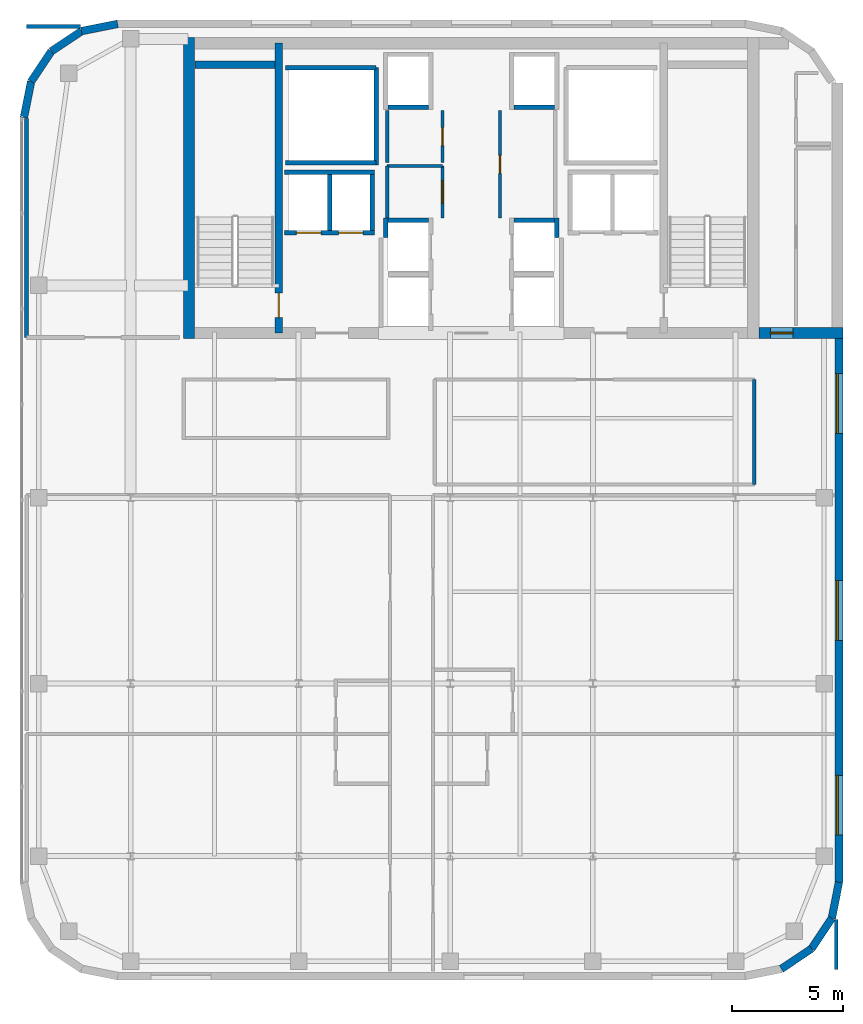
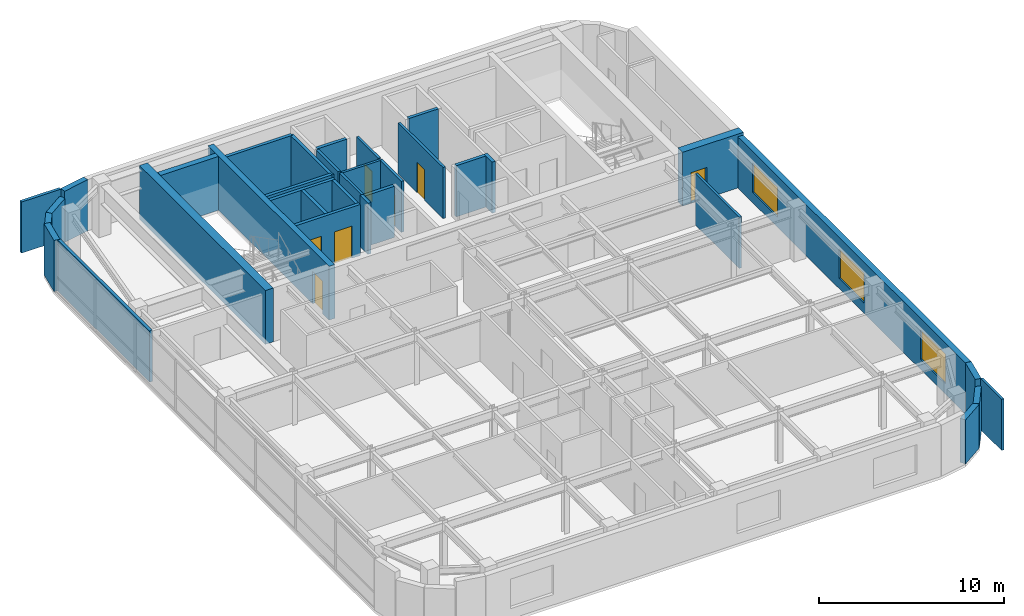
# One storey, part 16 of 19: 35 walls, 7 doors, 3 windows, 10 openings.
"""IFC4 building model written with IfcOpenShell, lengths in metres."""

from ifc_helpers import new_model, si_unit, direction, frame, frame_2d, origin, place, context, subcontext, project, spatial, rectangle, extrude, source, transform, mapped, material, layer, layer_set, type_object, type_shapes, element, fill, save


model = new_model("IFC4")

# Units and contexts
model_context = context("Model", 3, precision=1e-05, world=origin(), true_north=direction((0.0, 1.0)))
body_context = subcontext(model_context, "Body", "Model", "MODEL_VIEW")
ifc_project = project(units=[si_unit("LENGTHUNIT", "METRE"), si_unit("AREAUNIT", "SQUARE_METRE"), si_unit("VOLUMEUNIT", "CUBIC_METRE"), si_unit("PLANEANGLEUNIT", "RADIAN"), si_unit("MASSUNIT", "GRAM", prefix="KILO")], contexts=[model_context])

# Site, building, storey
site_placement = place(None, origin())
site = spatial("IfcSite", under=ifc_project, at=site_placement, CompositionType="ELEMENT")
building_placement = place(site_placement, origin())
building = spatial("IfcBuilding", under=site, at=building_placement, Name="Tolvann Quenvar Hotel", CompositionType="ELEMENT")
storey_placement = place(building_placement, frame((0.0, 0.0, 223.89990234375)))
storey = spatial("IfcBuildingStorey", under=building, at=storey_placement, Name="L59", CompositionType="ELEMENT", Elevation=223.89990234375)

# Wall
ifc_material_1 = material(Name="Concrete N50 (50 MPa)", Category="concrete")
ifc_layer_1 = layer(ifc_material_1, 0.5)
ifc_layer_set_1 = layer_set([ifc_layer_1], Name="Concrete N50 (50 MPa)")
wall_type_1 = type_object("IfcWallType", Name="WALL_CORE_500", PredefinedType="SHEAR", material=ifc_layer_set_1)
wall_1_placement = place(storey_placement, frame((10.25, 31.60009765625, 0.0), z_axis=(0.0, 0.0, 1.0), x_axis=(0.0, 1.0, 0.0)))
element("IfcWall", 1, at=wall_1_placement, inside=storey, type_object=wall_type_1, Name="Rear Core W Shear Wall (L59)", PredefinedType="SHEAR", context=body_context, shape_type="SweptSolid", body=[
    extrude(rectangle(XDim=13.599853515625, YDim=0.5, at=frame_2d((6.7998046875, 0.0))), origin(), (0.0, 0.0, 1.0), 3.550048828125),
])

# Wall, opening, door
wall_2_placement = place(storey_placement, frame((36.0, 31.85009765625, 0.0), z_axis=(0.0, 0.0, 1.0), x_axis=(1.0, 0.0, 0.0)))
wall_2 = element("IfcWall", 2, at=wall_2_placement, inside=storey, type_object=wall_type_1, Name="Core East Annex Shear Wall ANN-S (L59)", PredefinedType="SHEAR", context=body_context, shape_type="SweptSolid", body=[
    extrude(rectangle(XDim=3.800048828125, YDim=0.5, at=frame_2d((1.89990234375, 0.0))), origin(), (0.0, 0.0, 1.0), 3.550048828125),
])
opening_1_placement = place(wall_2_placement, frame((1.5400390625, 0.0, 0.0), z_axis=(0.0, 0.0, 1.0), x_axis=(-1.0, 0.0, 0.0)))
opening_1 = element("IfcOpeningElement", 3, at=opening_1_placement, cuts=wall_2, Name="Opening HD-01", PredefinedType="OPENING", context=body_context, shape_type="SweptSolid", body=[
    extrude(rectangle(XDim=1.02001953125, YDim=2.030029296875, at=frame_2d((0.510009765625, 1.01513671875))), frame((0.0, 0.260009765625, 0.0), z_axis=(0.0, -1.0, 0.0), x_axis=(1.0, 0.0, 0.0)), (0.0, 0.0, 1.0), 0.52001953125),
])
ifc_material_2 = material(Name="Pressed galvanised steel fire-rated door set", Category="steel")
door_type_1 = type_object("IfcDoorType", Name="DOOR_BOH_1020", OperationType="NOTDEFINED", PredefinedType="DOOR", material=ifc_material_2)
shared_shape_1 = source(origin(), body_context, "Body", "SweptSolid", [
    extrude(rectangle(XDim=1.02001953125, YDim=2.030029296875, at=frame_2d((0.510009765625, 1.01513671875))), frame((0.0, 0.02490234375, 0.0), z_axis=(0.0, -1.0, 0.0), x_axis=(1.0, 0.0, 0.0)), (0.0, 0.0, 1.0), 0.050048828125),
])
type_shapes(door_type_1, [shared_shape_1])
door_1_placement = place(opening_1_placement, origin())
door_1 = element("IfcDoor", 4, at=door_1_placement, inside=storey, type_object=door_type_1, Name="Housekeeping Annex Fire Door (L59)", OperationType="SINGLE_SWING_RIGHT", OverallHeight=2.030029296875, OverallWidth=1.02001953125, PredefinedType="DOOR", context=body_context, shape_type="MappedRepresentation", body=[
    mapped(shared_shape_1, transform((0.0, 0.0, 0.0), x_axis=(1.0, 0.0, 0.0), y_axis=(0.0, 1.0, 0.0), z_axis=(0.0, 0.0, 1.0), scale=1.0)),
])
fill(opening_1, door_1)

ifc_material_3 = material(Name="Concrete S65 (65 MPa)", Category="concrete")
ifc_layer_2 = layer(ifc_material_3, 0.35009765625)
ifc_layer_set_2 = layer_set([ifc_layer_2], Name="Concrete S65 (65 MPa)")
wall_type_2 = type_object("IfcWallType", Name="WALL_CORE_INT_350", PredefinedType="SHEAR", material=ifc_layer_set_2)
wall_3_placement = place(storey_placement, frame((14.300048828125, 31.85009765625, 0.0), z_axis=(0.0, 0.0, 1.0), x_axis=(0.0, 1.0, 0.0)))
wall_3 = element("IfcWall", 5, at=wall_3_placement, inside=storey, type_object=wall_type_2, Name="Core Internal Web Shear Wall WEB-W (L59)", PredefinedType="SHEAR", context=body_context, shape_type="SweptSolid", body=[
    extrude(rectangle(XDim=13.099853515625, YDim=0.35009765625, at=frame_2d((6.5498046875, 0.0))), origin(), (0.0, 0.0, 1.0), 3.550048828125),
])
opening_2_placement = place(wall_3_placement, frame((0.699951171875, 0.0, 0.0)))
opening_2 = element("IfcOpeningElement", 6, at=opening_2_placement, cuts=wall_3, Name="Opening FD-120", PredefinedType="OPENING", context=body_context, shape_type="SweptSolid", body=[
    extrude(rectangle(XDim=1.10009765625, YDim=2.1201171875, at=frame_2d((0.550048828125, 1.06005859375))), frame((0.0, 0.18505859375, 0.0), z_axis=(0.0, -1.0, 0.0), x_axis=(1.0, 0.0, 0.0)), (0.0, 0.0, 1.0), 0.3701171875),
])
door_type_2 = type_object("IfcDoorType", Name="DOOR_FIRE_STAIR_1100", OperationType="NOTDEFINED", PredefinedType="DOOR", material=ifc_material_2)
shared_shape_2 = source(origin(), body_context, "Body", "SweptSolid", [
    extrude(rectangle(XDim=1.10009765625, YDim=2.1201171875, at=frame_2d((0.550048828125, 1.06005859375))), frame((0.0, 0.02490234375, 0.0), z_axis=(0.0, -1.0, 0.0), x_axis=(1.0, 0.0, 0.0)), (0.0, 0.0, 1.0), 0.050048828125),
])
type_shapes(door_type_2, [shared_shape_2])
door_2_placement = place(opening_2_placement, origin())
door_2 = element("IfcDoor", 7, at=door_2_placement, inside=storey, type_object=door_type_2, Name="Exit Stair ST-C1 Fire Door (L59)", OperationType="SINGLE_SWING_RIGHT", OverallHeight=2.1201171875, OverallWidth=1.10009765625, PredefinedType="DOOR", context=body_context, shape_type="MappedRepresentation", body=[
    mapped(shared_shape_2, transform((0.0, 0.0, 0.0), x_axis=(1.0, 0.0, 0.0), y_axis=(0.0, 1.0, 0.0), z_axis=(0.0, 0.0, 1.0), scale=1.0)),
])
fill(opening_2, door_2)

# Walls
wall_4_placement = place(storey_placement, frame((10.52001953125, 43.97509765625, 0.0), z_axis=(0.0, 0.0, 1.0), x_axis=(1.0, 0.0, 0.0)))
element("IfcWall", 8, at=wall_4_placement, inside=storey, type_object=wall_type_2, Name="Core Stair North Closing Shear Wall STC1-N (L59)", PredefinedType="SHEAR", context=body_context, shape_type="SweptSolid", body=[
    extrude(rectangle(XDim=3.60009765625, YDim=0.35009765625, at=frame_2d((1.800048828125, 0.0))), origin(), (0.0, 0.0, 1.0), 3.550048828125),
])
ifc_material_4 = material(Name="Kiln-fired red and buff architectural clay brickwork and terracotta masonry", Category="masonry")
ifc_layer_3 = layer(ifc_material_4, 0.35009765625)
ifc_layer_set_3 = layer_set([ifc_layer_3], Name="Kiln-fired red and buff architectural clay brickwork and terracotta masonry")
wall_type_3 = type_object("IfcWallType", Name="WALL_EXT_BRICK_350", PredefinedType="SOLIDWALL", material=ifc_layer_set_3)
for number, where, z_axis, x_axis, name in (
    (9, (37.015380859375, 3.099609375, 0.0), (0.0, 0.0, 1.0), (0.831434158098, 0.555623290322, 0.0), "Exterior Chicago Brick Wall L59-E06"),
    (10, (38.385009765625, 4.014892578125, 0.0), (0.0, 0.0, 1.0), (0.555623290322, 0.831434158098, 0.0), "Exterior Chicago Brick Wall L59-E07"),
):
    element("IfcWall", number, at=place(storey_placement, frame(where, z_axis=z_axis, x_axis=x_axis)), inside=storey, type_object=wall_type_3, Name=name, PredefinedType="SOLIDWALL", context=body_context, shape_type="SweptSolid", body=[
        extrude(rectangle(XDim=1.647216796875, YDim=0.35009765625, at=frame_2d((0.82373046875, 0.0))), origin(), (0.0, 0.0, 1.0), 2.900146484375),
    ])
wall_5_placement = place(storey_placement, frame((39.30029296875, 5.384521484375, 0.0), z_axis=(0.0, 0.0, 1.0), x_axis=(0.195072403631, 0.980788844421, 0.0)))
element("IfcWall", 11, at=wall_5_placement, inside=storey, type_object=wall_type_3, Name="Exterior Chicago Brick Wall L59-E08", PredefinedType="SOLIDWALL", context=body_context, shape_type="SweptSolid", body=[
    extrude(rectangle(XDim=1.66455078125, YDim=0.35009765625, at=frame_2d((0.832275390625, 0.0))), origin(), (0.0, 0.0, 1.0), 3.3701171875),
])

# Wall, openings, windows
wall_6_placement = place(storey_placement, frame((39.625, 7.01708984375, 0.0), z_axis=(0.0, 0.0, 1.0), x_axis=(0.0, 1.0, 0.0)))
wall_6 = element("IfcWall", 12, at=wall_6_placement, inside=storey, type_object=wall_type_3, Name="Exterior Chicago Brick Wall L59-E09", PredefinedType="SOLIDWALL", context=body_context, shape_type="SweptSolid", body=[
    extrude(rectangle(XDim=24.578857421875, YDim=0.35009765625, at=frame_2d((12.28955078125, 0.0))), origin(), (0.0, 0.0, 1.0), 3.3701171875),
])
opening_3_placement = place(wall_6_placement, frame((2.137939453125, 0.0, 0.679931640625)))
opening_3 = element("IfcOpeningElement", 13, at=opening_3_placement, cuts=wall_6, Name="Opening W-04", PredefinedType="OPENING", context=body_context, shape_type="SweptSolid", body=[
    extrude(rectangle(XDim=2.699951171875, YDim=1.949951171875, at=frame_2d((1.35009765625, 0.97509765625))), frame((0.0, 0.18505859375, 0.0), z_axis=(0.0, -1.0, 0.0), x_axis=(1.0, 0.0, 0.0)), (0.0, 0.0, 1.0), 0.3701171875),
])
opening_4_placement = place(wall_6_placement, frame((10.93896484375, 0.0, 0.679931640625)))
opening_4 = element("IfcOpeningElement", 14, at=opening_4_placement, cuts=wall_6, Name="Opening W-04", PredefinedType="OPENING", context=body_context, shape_type="SweptSolid", body=[
    extrude(rectangle(XDim=2.699951171875, YDim=1.949951171875, at=frame_2d((1.35009765625, 0.97509765625))), frame((0.0, 0.18505859375, 0.0), z_axis=(0.0, -1.0, 0.0), x_axis=(1.0, 0.0, 0.0)), (0.0, 0.0, 1.0), 0.3701171875),
])
opening_5_placement = place(wall_6_placement, frame((20.291015625, 0.0, 0.679931640625)))
opening_5 = element("IfcOpeningElement", 15, at=opening_5_placement, cuts=wall_6, Name="Opening W-04", PredefinedType="OPENING", context=body_context, shape_type="SweptSolid", body=[
    extrude(rectangle(XDim=2.699951171875, YDim=1.949951171875, at=frame_2d((1.35009765625, 0.97509765625))), frame((0.0, 0.18505859375, 0.0), z_axis=(0.0, -1.0, 0.0), x_axis=(1.0, 0.0, 0.0)), (0.0, 0.0, 1.0), 0.3701171875),
])
ifc_material_5 = material(Name="Thermally broken bronze-anodised aluminium frame with double low-E glazing", Category="aluminium")
window_type = type_object("IfcWindowType", Name="WIN_STE_2700x2150", PartitioningType="TRIPLE_PANEL_HORIZONTAL", PredefinedType="WINDOW", material=ifc_material_5)
shared_shape_3 = source(origin(), body_context, "Body", "SweptSolid", [
    extrude(rectangle(XDim=2.699951171875, YDim=1.949951171875, at=frame_2d((1.35009765625, 0.97509765625))), frame((0.0, 0.090087890625, 0.0), z_axis=(0.0, -1.0, 0.0), x_axis=(1.0, 0.0, 0.0)), (0.0, 0.0, 1.0), 0.06005859375),
])
type_shapes(window_type, [shared_shape_3])
window_1_placement = place(opening_3_placement, origin())
window_1 = element("IfcWindow", 16, at=window_1_placement, inside=storey, type_object=window_type, Name="Chicago Window W-04 (EW-L59-E09-W01)", OverallHeight=1.949951171875, OverallWidth=2.699951171875, PartitioningType="TRIPLE_PANEL_HORIZONTAL", PredefinedType="WINDOW", context=body_context, shape_type="MappedRepresentation", body=[
    mapped(shared_shape_3, transform((0.0, 0.0, 0.0), x_axis=(1.0, 0.0, 0.0), y_axis=(0.0, 1.0, 0.0), z_axis=(0.0, 0.0, 1.0), scale=1.0)),
])
fill(opening_3, window_1)
window_2_placement = place(opening_4_placement, origin())
window_2 = element("IfcWindow", 17, at=window_2_placement, inside=storey, type_object=window_type, Name="Chicago Window W-04 (EW-L59-E09-W02)", OverallHeight=1.949951171875, OverallWidth=2.699951171875, PartitioningType="TRIPLE_PANEL_HORIZONTAL", PredefinedType="WINDOW", context=body_context, shape_type="MappedRepresentation", body=[
    mapped(shared_shape_3, transform((0.0, 0.0, 0.0), x_axis=(1.0, 0.0, 0.0), y_axis=(0.0, 1.0, 0.0), z_axis=(0.0, 0.0, 1.0), scale=1.0)),
])
fill(opening_4, window_2)
window_3_placement = place(opening_5_placement, origin())
window_3 = element("IfcWindow", 18, at=window_3_placement, inside=storey, type_object=window_type, Name="Chicago Window W-04 (EW-L59-E09-W03)", OverallHeight=1.949951171875, OverallWidth=2.699951171875, PartitioningType="TRIPLE_PANEL_HORIZONTAL", PredefinedType="WINDOW", context=body_context, shape_type="MappedRepresentation", body=[
    mapped(shared_shape_3, transform((0.0, 0.0, 0.0), x_axis=(1.0, 0.0, 0.0), y_axis=(0.0, 1.0, 0.0), z_axis=(0.0, 0.0, 1.0), scale=1.0)),
])
fill(opening_5, window_3)

# Walls
wall_7_placement = place(storey_placement, frame((7.01708984375, 45.824951171875, 0.0), z_axis=(0.0, 0.0, 1.0), x_axis=(-0.980788844421, -0.195072403631, 0.0)))
element("IfcWall", 19, at=wall_7_placement, inside=storey, type_object=wall_type_3, Name="Exterior Chicago Brick Wall L59-E15", PredefinedType="SOLIDWALL", context=body_context, shape_type="SweptSolid", body=[
    extrude(rectangle(XDim=1.66455078125, YDim=0.35009765625, at=frame_2d((0.832275390625, 0.0))), origin(), (0.0, 0.0, 1.0), 3.3701171875),
])
for number, where, z_axis, x_axis, name in (
    (20, (5.384521484375, 45.500244140625, 0.0), (0.0, 0.0, 1.0), (-0.831502623162, -0.555520825599, 0.0), "Exterior Chicago Brick Wall L59-E16"),
    (21, (4.014892578125, 44.585205078125, 0.0), (0.0, 0.0, 1.0), (-0.555623290322, -0.831434158098, 0.0), "Exterior Chicago Brick Wall L59-E17"),
):
    element("IfcWall", number, at=place(storey_placement, frame(where, z_axis=z_axis, x_axis=x_axis)), inside=storey, type_object=wall_type_3, Name=name, PredefinedType="SOLIDWALL", context=body_context, shape_type="SweptSolid", body=[
        extrude(rectangle(XDim=1.647216796875, YDim=0.35009765625, at=frame_2d((0.82373046875, 0.0))), origin(), (0.0, 0.0, 1.0), 2.900146484375),
    ])
wall_8_placement = place(storey_placement, frame((3.099609375, 43.215576171875, 0.0), z_axis=(0.0, 0.0, 1.0), x_axis=(-0.195044345786, -0.980794424524, 0.0)))
element("IfcWall", 22, at=wall_8_placement, inside=storey, type_object=wall_type_3, Name="Exterior Chicago Brick Wall L59-E18", PredefinedType="SOLIDWALL", context=body_context, shape_type="SweptSolid", body=[
    extrude(rectangle(XDim=1.664794921875, YDim=0.35009765625, at=frame_2d((0.83251953125, 0.0))), origin(), (0.0, 0.0, 1.0), 3.3701171875),
])
ifc_material_6 = material(Name="Acoustic twin-stud fire-rated gypsum plasterboard partition")
ifc_layer_4 = layer(ifc_material_6, 0.179931640625)
ifc_layer_set_4 = layer_set([ifc_layer_4], Name="Acoustic twin-stud fire-rated gypsum plasterboard partition")
wall_type_4 = type_object("IfcWallType", Name="WALL_PART_ACOUSTIC_180", PredefinedType="PARTITIONING", material=ifc_layer_set_4)
wall_9_placement = place(storey_placement, frame((2.89990234375, 45.699951171875, 0.0), z_axis=(0.0, 0.0, 1.0), x_axis=(1.0, 0.0, 0.0)))
element("IfcWall", 23, at=wall_9_placement, inside=storey, type_object=wall_type_4, Name="Interior Partition PT-SPC-L59-SAL-N", PredefinedType="PARTITIONING", context=body_context, shape_type="SweptSolid", body=[
    extrude(rectangle(XDim=2.445068359375, YDim=0.179931640625, at=frame_2d((1.22265625, 0.0))), origin(), (0.0, 0.0, 1.0), 3.3701171875),
])
wall_10_placement = place(storey_placement, frame((2.89990234375, 31.64990234375, 0.0), z_axis=(0.0, 0.0, 1.0), x_axis=(0.0, 1.0, 0.0)))
element("IfcWall", 24, at=wall_10_placement, inside=storey, type_object=wall_type_4, Name="Interior Partition PT-SPC-L59-SAL-W", PredefinedType="PARTITIONING", context=body_context, shape_type="SweptSolid", body=[
    extrude(rectangle(XDim=9.908203125, YDim=0.179931640625, at=frame_2d((4.9541015625, 0.0))), origin(), (0.0, 0.0, 1.0), 3.3701171875),
])

# Wall, opening, door
ifc_layer_5 = layer(ifc_material_6, 0.14990234375)
ifc_layer_set_5 = layer_set([ifc_layer_5], Name="Acoustic twin-stud fire-rated gypsum plasterboard partition")
wall_type_5 = type_object("IfcWallType", Name="WALL_PART_SUITE_150", PredefinedType="PARTITIONING", material=ifc_layer_set_5)
wall_11_placement = place(storey_placement, frame((21.699951171875, 37.050048828125, 0.0), z_axis=(0.0, 0.0, 1.0), x_axis=(0.0, 1.0, 0.0)))
wall_11 = element("IfcWall", 25, at=wall_11_placement, inside=storey, type_object=wall_type_5, Name="Interior Partition PT-SPC-L59-RECPM-1-ENT", PredefinedType="PARTITIONING", context=body_context, shape_type="SweptSolid", body=[
    extrude(rectangle(XDim=2.349853515625, YDim=0.14990234375, at=frame_2d((1.1748046875, 0.0))), origin(), (0.0, 0.0, 1.0), 3.3701171875),
])
opening_6_placement = place(wall_11_placement, frame((0.6650390625, 0.0, 0.0)))
opening_6 = element("IfcOpeningElement", 26, at=opening_6_placement, cuts=wall_11, Name="Opening HD-01", PredefinedType="OPENING", context=body_context, shape_type="SweptSolid", body=[
    extrude(rectangle(XDim=1.02001953125, YDim=2.030029296875, at=frame_2d((0.510009765625, 1.01513671875))), frame((0.0, 0.0849609375, 0.0), z_axis=(0.0, -1.0, 0.0), x_axis=(1.0, 0.0, 0.0)), (0.0, 0.0, 1.0), 0.169921875),
])
door_3_placement = place(opening_6_placement, origin())
door_3 = element("IfcDoor", 27, at=door_3_placement, inside=storey, type_object=door_type_1, Name="Interior Door DOOR-SPC-L59-RECPM-1", OperationType="SINGLE_SWING_RIGHT", OverallHeight=2.030029296875, OverallWidth=1.02001953125, PredefinedType="DOOR", context=body_context, shape_type="MappedRepresentation", body=[
    mapped(shared_shape_1, transform((0.0, 0.0, 0.0), x_axis=(1.0, 0.0, 0.0), y_axis=(0.0, 1.0, 0.0), z_axis=(0.0, 0.0, 1.0), scale=1.0)),
])
fill(opening_6, door_3)

# Walls
wall_12_placement = place(storey_placement, frame((19.199951171875, 39.39990234375, 0.0), z_axis=(0.0, 0.0, 1.0), x_axis=(1.0, 0.0, 0.0)))
element("IfcWall", 28, at=wall_12_placement, inside=storey, type_object=wall_type_5, Name="Interior Partition PT-SPC-L59-RECPM-1-N", PredefinedType="PARTITIONING", context=body_context, shape_type="SweptSolid", body=[
    extrude(rectangle(XDim=2.5, YDim=0.14990234375, at=frame_2d((1.25, 0.0))), origin(), (0.0, 0.0, 1.0), 3.3701171875),
])
wall_13_placement = place(storey_placement, frame((19.199951171875, 37.0400390625, 0.0), z_axis=(0.0, 0.0, 1.0), x_axis=(0.0, 1.0, 0.0)))
element("IfcWall", 29, at=wall_13_placement, inside=storey, type_object=wall_type_5, Name="Interior Partition PT-SPC-L59-RECPM-1-W", PredefinedType="PARTITIONING", context=body_context, shape_type="SweptSolid", body=[
    extrude(rectangle(XDim=2.35986328125, YDim=0.14990234375, at=frame_2d((1.179931640625, 0.0))), origin(), (0.0, 0.0, 1.0), 3.3701171875),
])

# Wall, opening, door
wall_14_placement = place(storey_placement, frame((21.699951171875, 39.550048828125, 0.0), z_axis=(0.0, 0.0, 1.0), x_axis=(0.0, 1.0, 0.0)))
wall_14 = element("IfcWall", 30, at=wall_14_placement, inside=storey, type_object=wall_type_5, Name="Interior Partition PT-SPC-L59-RECPM-2-ENT", PredefinedType="PARTITIONING", context=body_context, shape_type="SweptSolid", body=[
    extrude(rectangle(XDim=2.349853515625, YDim=0.14990234375, at=frame_2d((1.1748046875, 0.0))), origin(), (0.0, 0.0, 1.0), 3.3701171875),
])
opening_7_placement = place(wall_14_placement, frame((0.764892578125, 0.0, 0.0)))
opening_7 = element("IfcOpeningElement", 31, at=opening_7_placement, cuts=wall_14, Name="Opening HD-02", PredefinedType="OPENING", context=body_context, shape_type="SweptSolid", body=[
    extrude(rectangle(XDim=0.820068359375, YDim=2.010009765625, at=frame_2d((0.41015625, 1.0048828125))), frame((0.0, 0.0849609375, 0.0), z_axis=(0.0, -1.0, 0.0), x_axis=(1.0, 0.0, 0.0)), (0.0, 0.0, 1.0), 0.169921875),
])
door_type_3 = type_object("IfcDoorType", Name="DOOR_STORE_820", OperationType="NOTDEFINED", PredefinedType="DOOR", material=ifc_material_2)
shared_shape_4 = source(origin(), body_context, "Body", "SweptSolid", [
    extrude(rectangle(XDim=0.820068359375, YDim=2.010009765625, at=frame_2d((0.41015625, 1.0048828125))), frame((0.0, 0.02490234375, 0.0), z_axis=(0.0, -1.0, 0.0), x_axis=(1.0, 0.0, 0.0)), (0.0, 0.0, 1.0), 0.050048828125),
])
type_shapes(door_type_3, [shared_shape_4])
door_4_placement = place(opening_7_placement, origin())
door_4 = element("IfcDoor", 32, at=door_4_placement, inside=storey, type_object=door_type_3, Name="Interior Door DOOR-SPC-L59-RECPM-2", OperationType="SINGLE_SWING_LEFT", OverallHeight=2.010009765625, OverallWidth=0.820068359375, PredefinedType="DOOR", context=body_context, shape_type="MappedRepresentation", body=[
    mapped(shared_shape_4, transform((0.0, 0.0, 0.0), x_axis=(1.0, 0.0, 0.0), y_axis=(0.0, 1.0, 0.0), z_axis=(0.0, 0.0, 1.0), scale=1.0)),
])
fill(opening_7, door_4)

# Wall
wall_15_placement = place(storey_placement, frame((19.199951171875, 39.550048828125, 0.0), z_axis=(0.0, 0.0, 1.0), x_axis=(0.0, 1.0, 0.0)))
element("IfcWall", 33, at=wall_15_placement, inside=storey, type_object=wall_type_5, Name="Interior Partition PT-SPC-L59-RECPM-2-W", PredefinedType="PARTITIONING", context=body_context, shape_type="SweptSolid", body=[
    extrude(rectangle(XDim=2.349853515625, YDim=0.14990234375, at=frame_2d((1.1748046875, 0.0))), origin(), (0.0, 0.0, 1.0), 3.3701171875),
])

# Wall, opening, door
wall_16_placement = place(storey_placement, frame((24.300048828125, 37.050048828125, 0.0), z_axis=(0.0, 0.0, 1.0), x_axis=(0.0, 1.0, 0.0)))
wall_16 = element("IfcWall", 34, at=wall_16_placement, inside=storey, type_object=wall_type_5, Name="Interior Partition PT-SPC-L59-RECPM-3-ENT", PredefinedType="PARTITIONING", context=body_context, shape_type="SweptSolid", body=[
    extrude(rectangle(XDim=4.849853515625, YDim=0.14990234375, at=frame_2d((2.4248046875, 0.0))), origin(), (0.0, 0.0, 1.0), 3.3701171875),
])
opening_8_placement = place(wall_16_placement, frame((2.014892578125, 0.0, 0.0)))
opening_8 = element("IfcOpeningElement", 35, at=opening_8_placement, cuts=wall_16, Name="Opening HD-02", PredefinedType="OPENING", context=body_context, shape_type="SweptSolid", body=[
    extrude(rectangle(XDim=0.820068359375, YDim=2.010009765625, at=frame_2d((0.41015625, 1.0048828125))), frame((0.0, 0.0849609375, 0.0), z_axis=(0.0, -1.0, 0.0), x_axis=(1.0, 0.0, 0.0)), (0.0, 0.0, 1.0), 0.169921875),
])
door_5_placement = place(opening_8_placement, origin())
door_5 = element("IfcDoor", 36, at=door_5_placement, inside=storey, type_object=door_type_3, Name="Interior Door DOOR-SPC-L59-RECPM-3", OperationType="SINGLE_SWING_RIGHT", OverallHeight=2.010009765625, OverallWidth=0.820068359375, PredefinedType="DOOR", context=body_context, shape_type="MappedRepresentation", body=[
    mapped(shared_shape_4, transform((0.0, 0.0, 0.0), x_axis=(1.0, 0.0, 0.0), y_axis=(0.0, 1.0, 0.0), z_axis=(0.0, 0.0, 1.0), scale=1.0)),
])
fill(opening_8, door_5)

# Walls
wall_17_placement = place(storey_placement, frame((39.5, 3.080078125, 0.0), z_axis=(0.0, 0.0, 1.0), x_axis=(0.0, 1.0, 0.0)))
element("IfcWall", 37, at=wall_17_placement, inside=storey, type_object=wall_type_5, Name="Interior Partition PT-SPC-L59-RM-EO01-E2", PredefinedType="PARTITIONING", context=body_context, shape_type="SweptSolid", body=[
    extrude(rectangle(XDim=2.264892578125, YDim=0.14990234375, at=frame_2d((1.13232421875, 0.0))), origin(), (0.0, 0.0, 1.0), 3.3701171875),
])
wall_18_placement = place(storey_placement, frame((35.800048828125, 25.0, 0.0), z_axis=(0.0, 0.0, 1.0), x_axis=(0.0, 1.0, 0.0)))
element("IfcWall", 38, at=wall_18_placement, inside=storey, type_object=wall_type_5, Name="Interior Partition PT-SPC-L59-LOUNGE-E", PredefinedType="PARTITIONING", context=body_context, shape_type="SweptSolid", body=[
    extrude(rectangle(XDim=4.75, YDim=0.14990234375, at=frame_2d((2.375, 0.0))), origin(), (0.0, 0.0, 1.0), 3.3701171875),
])
ifc_material_7 = material(Name="Concrete N40 (40 MPa)", Category="concrete")
ifc_layer_6 = layer(ifc_material_7, 0.199951171875)
ifc_layer_set_6 = layer_set([ifc_layer_6], Name="Concrete N40 (40 MPa)")
wall_type_6 = type_object("IfcWallType", Name="WALL_SHAFT_200", PredefinedType="SOLIDWALL", material=ifc_layer_set_6)
wall_19_placement = place(storey_placement, frame((18.699951171875, 39.449951171875, 0.0), z_axis=(0.0, 0.0, 1.0), x_axis=(0.0, 1.0, 0.0)))
element("IfcWall", 39, at=wall_19_placement, inside=storey, type_object=wall_type_6, Name="Service Riser W Shaft Wall IN (L59)", PredefinedType="SOLIDWALL", context=body_context, shape_type="SweptSolid", body=[
    extrude(rectangle(XDim=4.400146484375, YDim=0.199951171875, at=frame_2d((2.2001953125, 0.0))), origin(), (0.0, 0.0, 1.0), 3.3701171875),
])
for number, where, z_axis, x_axis, name in (
    (40, (14.60009765625, 39.550048828125, 0.0), (0.0, 0.0, 1.0), (1.0, 0.0, 0.0), "Service Riser W Shaft Wall S (L59)"),
    (41, (14.60009765625, 43.85009765625, 0.0), (0.0, 0.0, 1.0), (1.0, 0.0, 0.0), "Service Riser W Shaft Wall N (L59)"),
):
    element("IfcWall", number, at=place(storey_placement, frame(where, z_axis=z_axis, x_axis=x_axis)), inside=storey, type_object=wall_type_6, Name=name, PredefinedType="SOLIDWALL", context=body_context, shape_type="SweptSolid", body=[
        extrude(rectangle(XDim=4.099853515625, YDim=0.199951171875, at=frame_2d((2.0498046875, 0.0))), origin(), (0.0, 0.0, 1.0), 3.3701171875),
    ])
wall_20_placement = place(storey_placement, frame((19.1298828125, 36.159912109375, 0.0), z_axis=(0.0, 0.0, 1.0), x_axis=(0.0, 1.0, 0.0)))
element("IfcWall", 42, at=wall_20_placement, inside=storey, type_object=wall_type_6, Name="Lift Bank E21.1C1 Hoistway Rear Wall (L59)", PredefinedType="SOLIDWALL", context=body_context, shape_type="SweptSolid", body=[
    extrude(rectangle(XDim=0.880126953125, YDim=0.199951171875, at=frame_2d((0.43994140625, 0.0))), origin(), (0.0, 0.0, 1.0), 3.3701171875),
])
for number, where, z_axis, x_axis, name in (
    (43, (19.22998046875, 36.93994140625, 0.0), (0.0, 0.0, 1.0), (1.0, 0.0, 0.0), "Lift Bank E21.1C1 Hoistway Cheek Wall 2 (L59)"),
    (44, (19.22998046875, 42.06005859375, 0.0), (0.0, 0.0, 1.0), (1.0, 0.0, 0.0), "Lift Bank E21.1C2 Hoistway Cheek Wall 1 (L59)"),
):
    element("IfcWall", number, at=place(storey_placement, frame(where, z_axis=z_axis, x_axis=x_axis)), inside=storey, type_object=wall_type_6, Name=name, PredefinedType="SOLIDWALL", context=body_context, shape_type="SweptSolid", body=[
        extrude(rectangle(XDim=1.840087890625, YDim=0.199951171875, at=frame_2d((0.919921875, 0.0))), origin(), (0.0, 0.0, 1.0), 3.3701171875),
    ])

# Wall, openings, doors
wall_21_placement = place(storey_placement, frame((14.550048828125, 36.3798828125, 0.0), z_axis=(0.0, 0.0, 1.0), x_axis=(1.0, 0.0, 0.0)))
wall_21 = element("IfcWall", 45, at=wall_21_placement, inside=storey, type_object=wall_type_6, Name="Lift Bank SWC1 Hoistway Front Wall (L59)", PredefinedType="SOLIDWALL", context=body_context, shape_type="SweptSolid", body=[
    extrude(rectangle(XDim=4.074951171875, YDim=0.199951171875, at=frame_2d((2.03759765625, 0.0))), origin(), (0.0, 0.0, 1.0), 3.3701171875),
])
opening_9_placement = place(wall_21_placement, frame((0.550048828125, 0.0, 0.0)))
opening_9 = element("IfcOpeningElement", 46, at=opening_9_placement, cuts=wall_21, Name="Opening LD-01", PredefinedType="OPENING", context=body_context, shape_type="SweptSolid", body=[
    extrude(rectangle(XDim=1.10009765625, YDim=2.1201171875, at=frame_2d((0.550048828125, 1.06005859375))), frame((0.0, 0.10986328125, 0.0), z_axis=(0.0, -1.0, 0.0), x_axis=(1.0, 0.0, 0.0)), (0.0, 0.0, 1.0), 0.219970703125),
])
opening_10_placement = place(wall_21_placement, frame((2.449951171875, 0.0, 0.0)))
opening_10 = element("IfcOpeningElement", 47, at=opening_10_placement, cuts=wall_21, Name="Opening LD-01", PredefinedType="OPENING", context=body_context, shape_type="SweptSolid", body=[
    extrude(rectangle(XDim=1.10009765625, YDim=2.1201171875, at=frame_2d((0.550048828125, 1.06005859375))), frame((0.0, 0.10986328125, 0.0), z_axis=(0.0, -1.0, 0.0), x_axis=(1.0, 0.0, 0.0)), (0.0, 0.0, 1.0), 0.219970703125),
])
ifc_material_8 = material(Name="Brushed 316 stainless steel automatic sliding lift landing door", Category="steel")
door_type_4 = type_object("IfcDoorType", Name="DOOR_LIFT_SLIDE_1100", OperationType="NOTDEFINED", PredefinedType="DOOR", material=ifc_material_8)
shared_shape_5 = source(origin(), body_context, "Body", "SweptSolid", [
    extrude(rectangle(XDim=1.10009765625, YDim=2.1201171875, at=frame_2d((0.550048828125, 1.06005859375))), frame((0.0, 0.02490234375, 0.0), z_axis=(0.0, -1.0, 0.0), x_axis=(1.0, 0.0, 0.0)), (0.0, 0.0, 1.0), 0.050048828125),
])
type_shapes(door_type_4, [shared_shape_5])
door_6_placement = place(opening_9_placement, origin())
door_6 = element("IfcDoor", 48, at=door_6_placement, inside=storey, type_object=door_type_4, Name="Lift FF-1 Sliding Landing Door (L59)", OperationType="SLIDING_TO_LEFT", OverallHeight=2.1201171875, OverallWidth=1.10009765625, PredefinedType="DOOR", context=body_context, shape_type="MappedRepresentation", body=[
    mapped(shared_shape_5, transform((0.0, 0.0, 0.0), x_axis=(1.0, 0.0, 0.0), y_axis=(0.0, 1.0, 0.0), z_axis=(0.0, 0.0, 1.0), scale=1.0)),
])
fill(opening_9, door_6)
door_7_placement = place(opening_10_placement, origin())
door_7 = element("IfcDoor", 49, at=door_7_placement, inside=storey, type_object=door_type_4, Name="Lift SV-1 Sliding Landing Door (L59)", OperationType="SLIDING_TO_RIGHT", OverallHeight=2.1201171875, OverallWidth=1.10009765625, PredefinedType="DOOR", context=body_context, shape_type="MappedRepresentation", body=[
    mapped(shared_shape_5, transform((0.0, 0.0, 0.0), x_axis=(1.0, 0.0, 0.0), y_axis=(0.0, 1.0, 0.0), z_axis=(0.0, 0.0, 1.0), scale=1.0)),
])
fill(opening_10, door_7)

# Walls
wall_22_placement = place(storey_placement, frame((14.550048828125, 39.1201171875, 0.0), z_axis=(0.0, 0.0, 1.0), x_axis=(1.0, 0.0, 0.0)))
element("IfcWall", 50, at=wall_22_placement, inside=storey, type_object=wall_type_6, Name="Lift Bank SWC1 Hoistway Rear Wall (L59)", PredefinedType="SOLIDWALL", context=body_context, shape_type="SweptSolid", body=[
    extrude(rectangle(XDim=4.074951171875, YDim=0.199951171875, at=frame_2d((2.03759765625, 0.0))), origin(), (0.0, 0.0, 1.0), 3.3701171875),
])
for number, where, z_axis, x_axis, name in (
    (51, (18.52490234375, 36.47998046875, 0.0), (0.0, 0.0, 1.0), (0.0, 1.0, 0.0), "Lift Bank SWC1 Hoistway Cheek Wall 2 (L59)"),
    (52, (16.612548828125, 36.47998046875, 0.0), (0.0, 0.0, 1.0), (0.0, 1.0, 0.0), "Lift Bank SWC1 Divider Wall 1 (L59)"),
):
    element("IfcWall", number, at=place(storey_placement, frame(where, z_axis=z_axis, x_axis=x_axis)), inside=storey, type_object=wall_type_6, Name=name, PredefinedType="SOLIDWALL", context=body_context, shape_type="SweptSolid", body=[
        extrude(rectangle(XDim=2.5400390625, YDim=0.199951171875, at=frame_2d((1.27001953125, 0.0))), origin(), (0.0, 0.0, 1.0), 3.3701171875),
    ])
wall_23_placement = place(storey_placement, frame((26.8701171875, 36.159912109375, 0.0), z_axis=(0.0, 0.0, 1.0), x_axis=(0.0, 1.0, 0.0)))
element("IfcWall", 53, at=wall_23_placement, inside=storey, type_object=wall_type_6, Name="Lift Bank W24.9C1 Hoistway Rear Wall (L59)", PredefinedType="SOLIDWALL", context=body_context, shape_type="SweptSolid", body=[
    extrude(rectangle(XDim=0.880126953125, YDim=0.199951171875, at=frame_2d((0.43994140625, 0.0))), origin(), (0.0, 0.0, 1.0), 3.3701171875),
])
for number, where, z_axis, x_axis, name in (
    (54, (24.929931640625, 36.93994140625, 0.0), (0.0, 0.0, 1.0), (1.0, 0.0, 0.0), "Lift Bank W24.9C1 Hoistway Cheek Wall 2 (L59)"),
    (55, (24.929931640625, 42.06005859375, 0.0), (0.0, 0.0, 1.0), (1.0, 0.0, 0.0), "Lift Bank W24.9C2 Hoistway Cheek Wall 1 (L59)"),
):
    element("IfcWall", number, at=place(storey_placement, frame(where, z_axis=z_axis, x_axis=x_axis)), inside=storey, type_object=wall_type_6, Name=name, PredefinedType="SOLIDWALL", context=body_context, shape_type="SweptSolid", body=[
        extrude(rectangle(XDim=1.840087890625, YDim=0.199951171875, at=frame_2d((0.919921875, 0.0))), origin(), (0.0, 0.0, 1.0), 3.3701171875),
    ])

save(model, "model.ifc")
